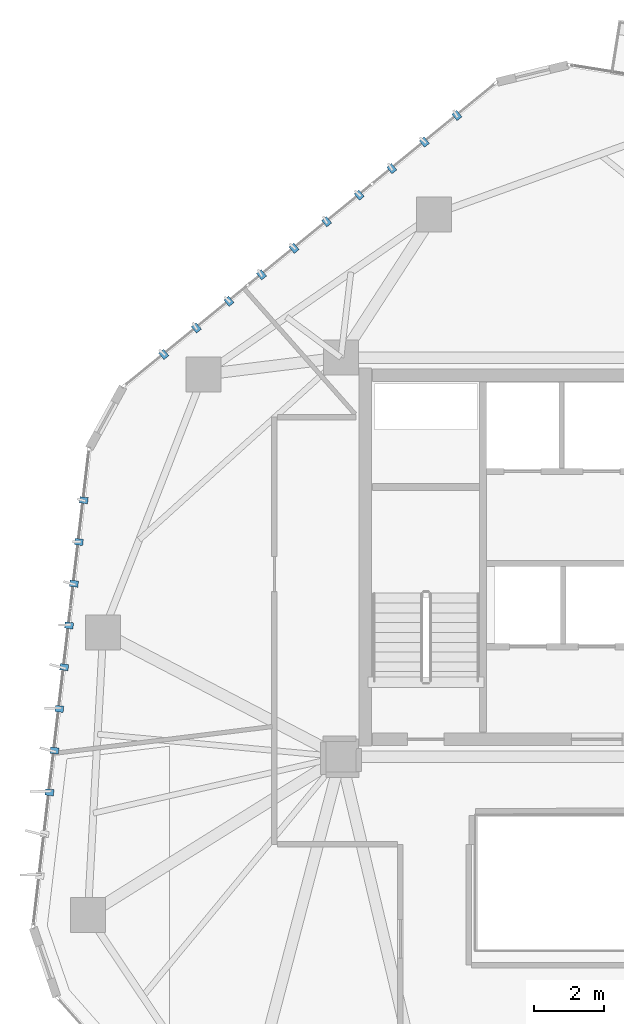
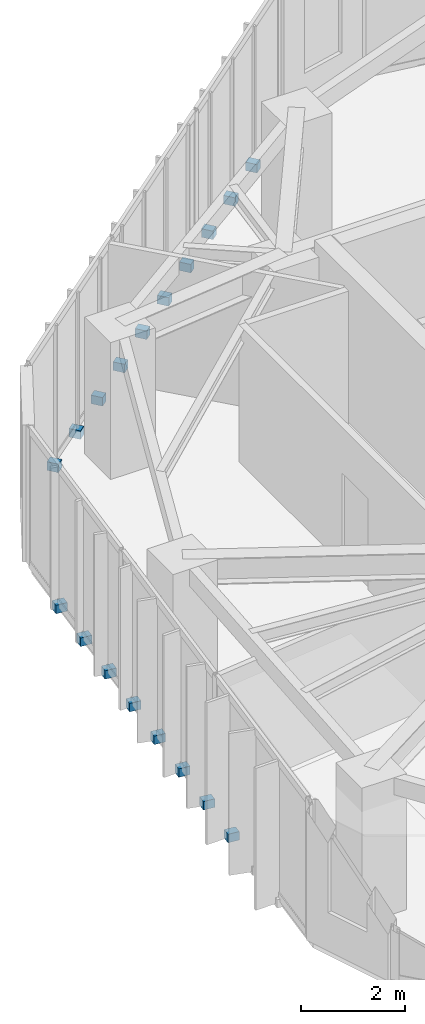
# One storey, part 20 of 22: 18 discrete accessories.
"""IFC4 building model written with IfcOpenShell, lengths in metres."""

from ifc_helpers import new_model, si_unit, direction, frame, origin, origin_2d, place, context, subcontext, project, spatial, rectangle, extrude, source, transform, mapped, material, type_object, type_shapes, element, save


model = new_model("IFC4")

# Units and contexts
model_context = context("Model", 3, precision=1e-05, world=origin(), true_north=direction((0.0, 1.0)))
body_context = subcontext(model_context, "Body", "Model", "MODEL_VIEW")
ifc_project = project(units=[si_unit("LENGTHUNIT", "METRE"), si_unit("AREAUNIT", "SQUARE_METRE"), si_unit("VOLUMEUNIT", "CUBIC_METRE"), si_unit("PLANEANGLEUNIT", "RADIAN"), si_unit("MASSUNIT", "GRAM", prefix="KILO")], contexts=[model_context])

# Site, building, storey
site_placement = place(None, origin())
site = spatial("IfcSite", under=ifc_project, at=site_placement, CompositionType="ELEMENT")
building_placement = place(site_placement, origin())
building = spatial("IfcBuilding", under=site, at=building_placement, Name="Talar Marvaseh", CompositionType="ELEMENT")
storey_placement = place(building_placement, frame((0.0, 0.0, 208.199951171875)))
storey = spatial("IfcBuildingStorey", under=building, at=storey_placement, Name="L54", CompositionType="ELEMENT", Elevation=208.199951171875)

# Discrete accessories
ifc_material = material(Name="Stainless Steel Grade 316", Category="steel")
discrete_accessory_type = type_object("IfcDiscreteAccessoryType", Name="Stainless Slab-Edge Fin Mounting Bracket", PredefinedType="BRACKET", material=ifc_material)
shared_shape = source(origin(), body_context, "Body", "SweptSolid", [
    extrude(rectangle(XDim=0.239990234375, YDim=0.179931640625, at=origin_2d()), origin(), (0.0, 0.0, 1.0), 0.199951171875),
])
type_shapes(discrete_accessory_type, [shared_shape])
for number, where, z_axis, x_axis, name in (
    (1, (10.377197265625, 24.482666015625, -0.1796875), (0.0, 0.0, 1.0), (-0.9932113148, 0.116324048041, 0.0), "L54 Vertical Fin Slab-Edge Bracket"),
    (2, (10.51708984375, 25.674560546875, -0.1796875), (0.0, 0.0, 1.0), (-0.9932113148, 0.116324048041, 0.0), "L54 Vertical Fin Slab-Edge Bracket"),
    (3, (10.656494140625, 26.866455078125, -0.1796875), (0.0, 0.0, 1.0), (-0.9932113148, 0.116324048041, 0.0), "L54 Vertical Fin Slab-Edge Bracket"),
    (4, (10.796142578125, 28.058349609375, -0.1796875), (0.0, 0.0, 1.0), (-0.9932113148, 0.116324048041, 0.0), "L54 Vertical Fin Slab-Edge Bracket"),
    (5, (10.935791015625, 29.25, -0.1796875), (0.0, 0.0, 1.0), (-0.9932113148, 0.116324048041, 0.0), "L54 Vertical Fin Slab-Edge Bracket"),
    (6, (11.075439453125, 30.44189453125, -0.1796875), (0.0, 0.0, 1.0), (-0.9932113148, 0.116324048041, 0.0), "L54 Vertical Fin Slab-Edge Bracket"),
    (7, (11.215087890625, 31.6337890625, -0.1796875), (0.0, 0.0, 1.0), (-0.9932113148, 0.116324048041, 0.0), "L54 Vertical Fin Slab-Edge Bracket"),
    (8, (11.354736328125, 32.82568359375, -0.1796875), (0.0, 0.0, 1.0), (-0.9932113148, 0.116324048041, 0.0), "L54 Vertical Fin Slab-Edge Bracket"),
    (9, (13.639404296875, 36.990234375, -0.1796875), (0.0, 0.0, 1.0), (-0.631758757508, 0.775165061333, 0.0), "L54 Vertical Fin Slab-Edge Bracket"),
    (10, (14.569580078125, 37.748291015625, -0.1796875), (0.0, 0.0, 1.0), (-0.631758757508, 0.775165061333, 0.0), "L54 Vertical Fin Slab-Edge Bracket"),
    (11, (15.499755859375, 38.506591796875, -0.1796875), (0.0, 0.0, 1.0), (-0.631758757508, 0.775165061333, 0.0), "L54 Vertical Fin Slab-Edge Bracket"),
    (12, (16.429931640625, 39.2646484375, -0.1796875), (0.0, 0.0, 1.0), (-0.631758757508, 0.775165061333, 0.0), "L54 Vertical Fin Slab-Edge Bracket"),
    (13, (17.360107421875, 40.022705078125, -0.1796875), (0.0, 0.0, 1.0), (-0.631758757508, 0.775165061333, 0.0), "L54 Vertical Fin Slab-Edge Bracket"),
    (14, (18.290283203125, 40.781005859375, -0.1796875), (0.0, 0.0, 1.0), (-0.631758757508, 0.775165061333, 0.0), "L54 Vertical Fin Slab-Edge Bracket"),
    (15, (19.220458984375, 41.5390625, -0.1796875), (0.0, 0.0, 1.0), (-0.631758757508, 0.775165061333, 0.0), "L54 Vertical Fin Slab-Edge Bracket"),
    (16, (20.150634765625, 42.297119140625, -0.1796875), (0.0, 0.0, 1.0), (-0.631758757508, 0.775165061333, 0.0), "L54 Vertical Fin Slab-Edge Bracket"),
    (17, (21.080810546875, 43.055419921875, -0.1796875), (0.0, 0.0, 1.0), (-0.631758757508, 0.775165061333, 0.0), "L54 Vertical Fin Slab-Edge Bracket"),
    (18, (22.010986328125, 43.8134765625, -0.1796875), (0.0, 0.0, 1.0), (-0.631758757508, 0.775165061333, 0.0), "L54 Vertical Fin Slab-Edge Bracket"),
):
    element("IfcDiscreteAccessory", number, at=place(storey_placement, frame(where, z_axis=z_axis, x_axis=x_axis)), inside=storey, type_object=discrete_accessory_type, Name=name, PredefinedType="BRACKET", context=body_context, shape_type="MappedRepresentation", body=[
        mapped(shared_shape, transform((0.0, 0.0, 0.0), x_axis=(1.0, 0.0, 0.0), y_axis=(0.0, 1.0, 0.0), z_axis=(0.0, 0.0, 1.0), scale=1.0)),
    ])

save(model, "model.ifc")
